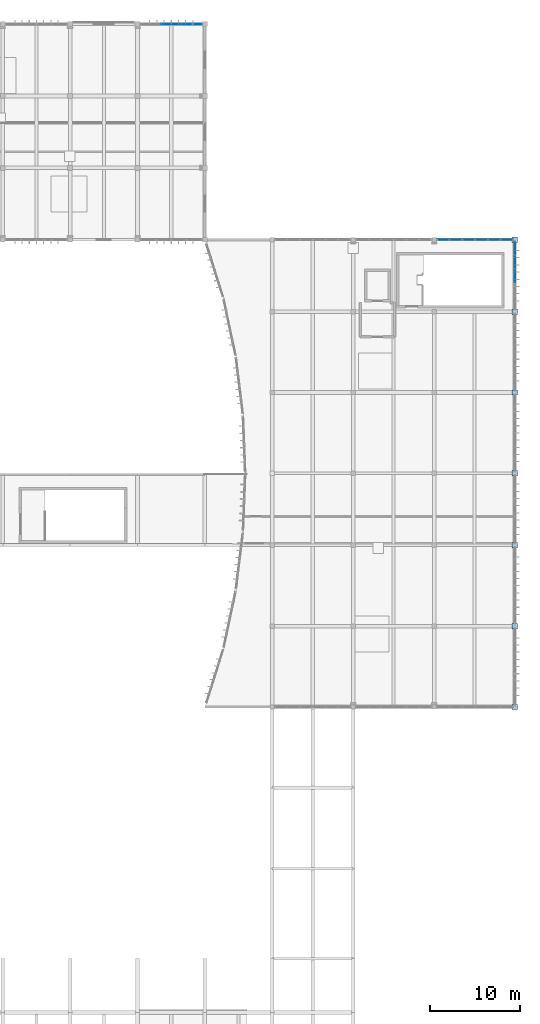
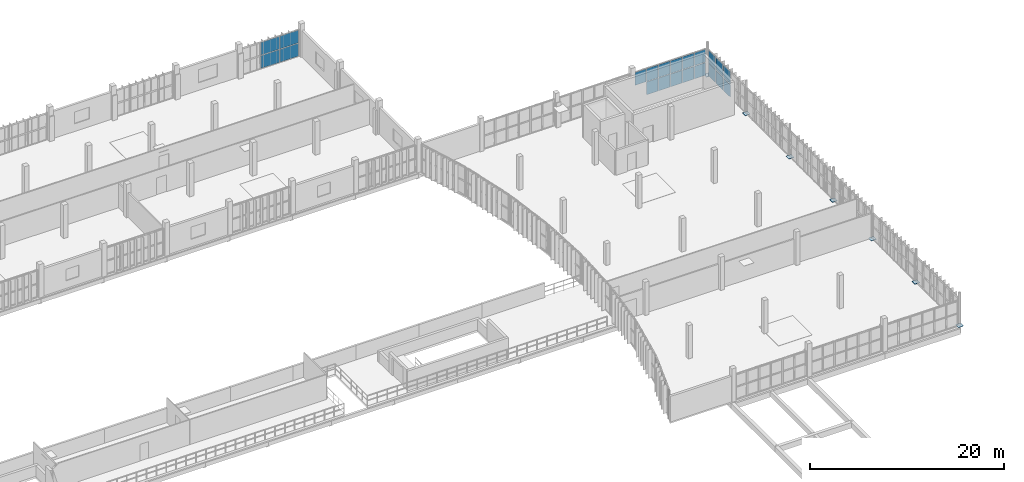
# One storey, part 39 of 61: 28 plates, 3 elements without a shape of their own.
"""IFC4 building model written with IfcOpenShell, lengths in metres."""

from ifc_helpers import new_model, si_unit, direction, frame, origin, origin_2d, place, context, subcontext, project, spatial, rectangle, extrude, material, layer, layer_set, type_object, element, aggregate, save


model = new_model("IFC4")

# Units and contexts
model_context = context("Model", 3, precision=1e-05, world=origin(), true_north=direction((0.0, 1.0)))
body_context = subcontext(model_context, "Body", "Model", "MODEL_VIEW")
ifc_project = project(units=[si_unit("LENGTHUNIT", "METRE"), si_unit("AREAUNIT", "SQUARE_METRE"), si_unit("VOLUMEUNIT", "CUBIC_METRE"), si_unit("PLANEANGLEUNIT", "RADIAN"), si_unit("MASSUNIT", "GRAM", prefix="KILO")], contexts=[model_context])

# Site, building, storey
site_placement = place(None, origin())
site = spatial("IfcSite", under=ifc_project, at=site_placement, CompositionType="ELEMENT")
building_placement = place(site_placement, origin())
building = spatial("IfcBuilding", under=site, at=building_placement, Name="Vourika Railside Aquatics Centre", CompositionType="ELEMENT")
storey_placement = place(building_placement, frame((0.0, 0.0, 9.300048828125)))
storey = spatial("IfcBuildingStorey", under=building, at=storey_placement, Name="L02", CompositionType="ELEMENT", Elevation=9.300048828125)

# Curtain wall, plates
ifc_material_1 = material(Name="Anodized thermally broken aluminium", Category="aluminium")
curtain_wall_type_1 = type_object("IfcCurtainWallType", Name="CW-FIT2", PredefinedType="NOTDEFINED", material=ifc_material_1)
curtain_wall_1_placement = place(storey_placement, origin())
curtain_wall_1 = element("IfcCurtainWall", 1, at=curtain_wall_1_placement, inside=storey, type_object=curtain_wall_type_1, Name="North Boulevard Curtain Wall L02-15", PredefinedType="NOTDEFINED")
ifc_material_2 = material(Name="Low-E solar-control laminated double glazing", Category="glass")
ifc_layer_1 = layer(ifc_material_2, 0.02392578125, Name="CWP-FIT2")
ifc_layer_set_1 = layer_set([ifc_layer_1], Name="Low-E solar-control laminated double glazing")
plate_type_1 = type_object("IfcPlateType", Name="CWP-FIT2", PredefinedType="CURTAIN_PANEL", material=ifc_layer_set_1)
plate_1_placement = place(storey_placement, frame((132.03173828125, 116.0, 0.06005859375), z_axis=(0.0, 0.0, 1.0), x_axis=(-1.0, 0.0, 0.0)))
plate_1 = element("IfcPlate", 2, at=plate_1_placement, type_object=plate_type_1, Name="CW16 panel 1.1", PredefinedType="CURTAIN_PANEL", context=body_context, shape_type="SweptSolid", body=[
    extrude(rectangle(XDim=2.206787109375, YDim=0.02392578125, at=origin_2d()), origin(), (0.0, 0.0, 1.0), 1.614990234375),
])
plate_2_placement = place(storey_placement, frame((132.03173828125, 116.0, 1.73486328125), z_axis=(0.0, 0.0, 1.0), x_axis=(-1.0, 0.0, 0.0)))
plate_2 = element("IfcPlate", 3, at=plate_2_placement, type_object=plate_type_1, Name="CW16 panel 1.2", PredefinedType="CURTAIN_PANEL", context=body_context, shape_type="SweptSolid", body=[
    extrude(rectangle(XDim=2.206787109375, YDim=0.02392578125, at=origin_2d()), origin(), (0.0, 0.0, 1.0), 1.614990234375),
])
plate_3_placement = place(storey_placement, frame((129.75, 116.0, 0.06005859375), z_axis=(0.0, 0.0, 1.0), x_axis=(-1.0, 0.0, 0.0)))
plate_3 = element("IfcPlate", 4, at=plate_3_placement, type_object=plate_type_1, Name="CW16 panel 2.1", PredefinedType="CURTAIN_PANEL", context=body_context, shape_type="SweptSolid", body=[
    extrude(rectangle(XDim=2.236572265625, YDim=0.02392578125, at=origin_2d()), origin(), (0.0, 0.0, 1.0), 1.614990234375),
])
plate_4_placement = place(storey_placement, frame((129.75, 116.0, 1.73486328125), z_axis=(0.0, 0.0, 1.0), x_axis=(-1.0, 0.0, 0.0)))
plate_4 = element("IfcPlate", 5, at=plate_4_placement, type_object=plate_type_1, Name="CW16 panel 2.2", PredefinedType="CURTAIN_PANEL", context=body_context, shape_type="SweptSolid", body=[
    extrude(rectangle(XDim=2.236572265625, YDim=0.02392578125, at=origin_2d()), origin(), (0.0, 0.0, 1.0), 1.614990234375),
])
aggregate(curtain_wall_1, [plate_1, plate_2, plate_3, plate_4])

curtain_wall_type_2 = type_object("IfcCurtainWallType", Name="CW-FOYE", PredefinedType="NOTDEFINED", material=ifc_material_1)
curtain_wall_2_placement = place(storey_placement, origin())
curtain_wall_2 = element("IfcCurtainWall", 6, at=curtain_wall_2_placement, inside=storey, type_object=curtain_wall_type_2, Name="East Arrival Facade Curtain Wall L02-6", PredefinedType="NOTDEFINED")
ifc_layer_2 = layer(ifc_material_2, 0.031982421875, Name="CWP-FOYE")
ifc_layer_set_2 = layer_set([ifc_layer_2], Name="Low-E solar-control laminated double glazing")
plate_type_2 = type_object("IfcPlateType", Name="CWP-FOYE", PredefinedType="CURTAIN_PANEL", material=ifc_layer_set_2)
plate_5_placement = place(storey_placement, frame((168.0, 88.0, 0.07470703125), z_axis=(0.0, 0.0, 1.0), x_axis=(0.0, 1.0, 0.0)))
plate_5 = element("IfcPlate", 7, at=plate_5_placement, type_object=plate_type_2, Name="CW10 panel 3.1", PredefinedType="CURTAIN_PANEL", context=body_context, shape_type="SweptSolid", body=[
    extrude(rectangle(XDim=1.45849609375, YDim=0.031982421875, at=origin_2d()), origin(), (0.0, 0.0, 1.0), 1.572509765625),
])
plate_6_placement = place(storey_placement, frame((168.0, 88.0, 1.72265625), z_axis=(0.0, 0.0, 1.0), x_axis=(0.0, 1.0, 0.0)))
plate_6 = element("IfcPlate", 8, at=plate_6_placement, type_object=plate_type_2, Name="CW10 panel 3.2", PredefinedType="CURTAIN_PANEL", context=body_context, shape_type="SweptSolid", body=[
    extrude(rectangle(XDim=1.45849609375, YDim=0.031982421875, at=origin_2d()), origin(), (0.0, 0.0, 1.0), 1.572509765625),
])
plate_7_placement = place(storey_placement, frame((168.0, 89.533447265625, 0.07470703125), z_axis=(0.0, 0.0, 1.0), x_axis=(0.0, 1.0, 0.0)))
plate_7 = element("IfcPlate", 9, at=plate_7_placement, type_object=plate_type_2, Name="CW10 panel 4.1", PredefinedType="CURTAIN_PANEL", context=body_context, shape_type="SweptSolid", body=[
    extrude(rectangle(XDim=1.45849609375, YDim=0.031982421875, at=origin_2d()), origin(), (0.0, 0.0, 1.0), 1.572509765625),
])
plate_8_placement = place(storey_placement, frame((168.0, 89.533447265625, 1.72265625), z_axis=(0.0, 0.0, 1.0), x_axis=(0.0, 1.0, 0.0)))
plate_8 = element("IfcPlate", 10, at=plate_8_placement, type_object=plate_type_2, Name="CW10 panel 4.2", PredefinedType="CURTAIN_PANEL", context=body_context, shape_type="SweptSolid", body=[
    extrude(rectangle(XDim=1.45849609375, YDim=0.031982421875, at=origin_2d()), origin(), (0.0, 0.0, 1.0), 1.572509765625),
])
plate_9_placement = place(storey_placement, frame((168.0, 91.048095703125, 0.07470703125), z_axis=(0.0, 0.0, 1.0), x_axis=(0.0, 1.0, 0.0)))
plate_9 = element("IfcPlate", 11, at=plate_9_placement, type_object=plate_type_2, Name="CW10 panel 5.1", PredefinedType="CURTAIN_PANEL", context=body_context, shape_type="SweptSolid", body=[
    extrude(rectangle(XDim=1.4208984375, YDim=0.031982421875, at=origin_2d()), origin(), (0.0, 0.0, 1.0), 1.572509765625),
])
plate_10_placement = place(storey_placement, frame((168.0, 91.048095703125, 1.72265625), z_axis=(0.0, 0.0, 1.0), x_axis=(0.0, 1.0, 0.0)))
plate_10 = element("IfcPlate", 12, at=plate_10_placement, type_object=plate_type_2, Name="CW10 panel 5.2", PredefinedType="CURTAIN_PANEL", context=body_context, shape_type="SweptSolid", body=[
    extrude(rectangle(XDim=1.4208984375, YDim=0.031982421875, at=origin_2d()), origin(), (0.0, 0.0, 1.0), 1.572509765625),
])
aggregate(curtain_wall_2, [plate_5, plate_6, plate_7, plate_8, plate_9, plate_10])

curtain_wall_type_3 = type_object("IfcCurtainWallType", Name="CW-FOYS", PredefinedType="NOTDEFINED", material=ifc_material_1)
curtain_wall_3_placement = place(storey_placement, origin())
curtain_wall_3 = element("IfcCurtainWall", 13, at=curtain_wall_3_placement, inside=storey, type_object=curtain_wall_type_3, Name="Foyer North Glazed Facade L02-3", PredefinedType="NOTDEFINED")
ifc_layer_3 = layer(ifc_material_2, 0.031982421875, Name="CWP-FOYS")
ifc_layer_set_3 = layer_set([ifc_layer_3], Name="Low-E solar-control laminated double glazing")
plate_type_3 = type_object("IfcPlateType", Name="CWP-FOYS", PredefinedType="CURTAIN_PANEL", material=ifc_layer_set_3)
plate_11_placement = place(storey_placement, frame((167.102783203125, 92.0, 0.072021484375), z_axis=(0.0, 0.0, 1.0), x_axis=(-1.0, 0.0, 0.0)))
plate_11 = element("IfcPlate", 14, at=plate_11_placement, type_object=plate_type_3, Name="CW11 panel 1.1", PredefinedType="CURTAIN_PANEL", context=body_context, shape_type="SweptSolid", body=[
    extrude(rectangle(XDim=1.317626953125, YDim=0.031982421875, at=origin_2d()), origin(), (0.0, 0.0, 1.0), 1.60205078125),
])
plate_12_placement = place(storey_placement, frame((167.102783203125, 92.0, 1.745849609375), z_axis=(0.0, 0.0, 1.0), x_axis=(-1.0, 0.0, 0.0)))
plate_12 = element("IfcPlate", 15, at=plate_12_placement, type_object=plate_type_3, Name="CW11 panel 1.2", PredefinedType="CURTAIN_PANEL", context=body_context, shape_type="SweptSolid", body=[
    extrude(rectangle(XDim=1.317626953125, YDim=0.031982421875, at=origin_2d()), origin(), (0.0, 0.0, 1.0), 1.60205078125),
])
plate_13_placement = place(storey_placement, frame((165.695068359375, 92.0, 0.072021484375), z_axis=(0.0, 0.0, 1.0), x_axis=(-1.0, 0.0, 0.0)))
plate_13 = element("IfcPlate", 16, at=plate_13_placement, type_object=plate_type_3, Name="CW11 panel 2.1", PredefinedType="CURTAIN_PANEL", context=body_context, shape_type="SweptSolid", body=[
    extrude(rectangle(XDim=1.353515625, YDim=0.031982421875, at=origin_2d()), origin(), (0.0, 0.0, 1.0), 1.60205078125),
])
plate_14_placement = place(storey_placement, frame((165.695068359375, 92.0, 1.745849609375), z_axis=(0.0, 0.0, 1.0), x_axis=(-1.0, 0.0, 0.0)))
plate_14 = element("IfcPlate", 17, at=plate_14_placement, type_object=plate_type_3, Name="CW11 panel 2.2", PredefinedType="CURTAIN_PANEL", context=body_context, shape_type="SweptSolid", body=[
    extrude(rectangle(XDim=1.353515625, YDim=0.031982421875, at=origin_2d()), origin(), (0.0, 0.0, 1.0), 1.60205078125),
])
plate_15_placement = place(storey_placement, frame((164.26953125, 92.0, 0.072021484375), z_axis=(0.0, 0.0, 1.0), x_axis=(-1.0, 0.0, 0.0)))
plate_15 = element("IfcPlate", 18, at=plate_15_placement, type_object=plate_type_3, Name="CW11 panel 3.1", PredefinedType="CURTAIN_PANEL", context=body_context, shape_type="SweptSolid", body=[
    extrude(rectangle(XDim=1.353515625, YDim=0.031982421875, at=origin_2d()), origin(), (0.0, 0.0, 1.0), 1.60205078125),
])
plate_16_placement = place(storey_placement, frame((164.26953125, 92.0, 1.745849609375), z_axis=(0.0, 0.0, 1.0), x_axis=(-1.0, 0.0, 0.0)))
plate_16 = element("IfcPlate", 19, at=plate_16_placement, type_object=plate_type_3, Name="CW11 panel 3.2", PredefinedType="CURTAIN_PANEL", context=body_context, shape_type="SweptSolid", body=[
    extrude(rectangle(XDim=1.353515625, YDim=0.031982421875, at=origin_2d()), origin(), (0.0, 0.0, 1.0), 1.60205078125),
])
plate_17_placement = place(storey_placement, frame((162.843994140625, 92.0, 0.072021484375), z_axis=(0.0, 0.0, 1.0), x_axis=(-1.0, 0.0, 0.0)))
plate_17 = element("IfcPlate", 20, at=plate_17_placement, type_object=plate_type_3, Name="CW11 panel 4.1", PredefinedType="CURTAIN_PANEL", context=body_context, shape_type="SweptSolid", body=[
    extrude(rectangle(XDim=1.353515625, YDim=0.031982421875, at=origin_2d()), origin(), (0.0, 0.0, 1.0), 1.60205078125),
])
plate_18_placement = place(storey_placement, frame((162.843994140625, 92.0, 1.745849609375), z_axis=(0.0, 0.0, 1.0), x_axis=(-1.0, 0.0, 0.0)))
plate_18 = element("IfcPlate", 21, at=plate_18_placement, type_object=plate_type_3, Name="CW11 panel 4.2", PredefinedType="CURTAIN_PANEL", context=body_context, shape_type="SweptSolid", body=[
    extrude(rectangle(XDim=1.353515625, YDim=0.031982421875, at=origin_2d()), origin(), (0.0, 0.0, 1.0), 1.60205078125),
])
plate_19_placement = place(storey_placement, frame((161.41845703125, 92.0, 0.072021484375), z_axis=(0.0, 0.0, 1.0), x_axis=(-1.0, 0.0, 0.0)))
plate_19 = element("IfcPlate", 22, at=plate_19_placement, type_object=plate_type_3, Name="CW11 panel 5.1", PredefinedType="CURTAIN_PANEL", context=body_context, shape_type="SweptSolid", body=[
    extrude(rectangle(XDim=1.353515625, YDim=0.031982421875, at=origin_2d()), origin(), (0.0, 0.0, 1.0), 1.60205078125),
])
plate_20_placement = place(storey_placement, frame((161.41845703125, 92.0, 1.745849609375), z_axis=(0.0, 0.0, 1.0), x_axis=(-1.0, 0.0, 0.0)))
plate_20 = element("IfcPlate", 23, at=plate_20_placement, type_object=plate_type_3, Name="CW11 panel 5.2", PredefinedType="CURTAIN_PANEL", context=body_context, shape_type="SweptSolid", body=[
    extrude(rectangle(XDim=1.353515625, YDim=0.031982421875, at=origin_2d()), origin(), (0.0, 0.0, 1.0), 1.60205078125),
])
plate_21_placement = place(storey_placement, frame((160.0107421875, 92.0, 1.745849609375), z_axis=(0.0, 0.0, 1.0), x_axis=(-1.0, 0.0, 0.0)))
plate_21 = element("IfcPlate", 24, at=plate_21_placement, type_object=plate_type_3, Name="CW11 panel 6.2", PredefinedType="CURTAIN_PANEL", context=body_context, shape_type="SweptSolid", body=[
    extrude(rectangle(XDim=1.317626953125, YDim=0.031982421875, at=origin_2d()), origin(), (0.0, 0.0, 1.0), 1.60205078125),
])
aggregate(curtain_wall_3, [plate_11, plate_12, plate_13, plate_14, plate_15, plate_16, plate_17, plate_18, plate_19, plate_20, plate_21])

# Plates
ifc_material_3 = material(Name="Steel S355J2", Category="steel")
ifc_layer_4 = layer(ifc_material_3, 0.030029296875, Name="PLT-BASE-600x600x30")
ifc_layer_set_4 = layer_set([ifc_layer_4], Name="Steel S355J2")
plate_type_4 = type_object("IfcPlateType", Name="PLT-BASE-600x600x30", PredefinedType="USERDEFINED", material=ifc_layer_set_4)
for number, where, z_axis, x_axis, name in (
    (25, (168.0, 40.0, 0.0), (0.0, 0.0, 1.0), (1.0, 0.0, 0.0), "Steel Column Base Plate BP-043"),
    (26, (168.0, 49.0, 0.0), (0.0, 0.0, 1.0), (1.0, 0.0, 0.0), "Steel Column Base Plate BP-044"),
    (27, (168.0, 58.0, 0.0), (0.0, 0.0, 1.0), (1.0, 0.0, 0.0), "Steel Column Base Plate BP-045"),
    (28, (168.0, 66.0, 0.0), (0.0, 0.0, 1.0), (1.0, 0.0, 0.0), "Steel Column Base Plate BP-046"),
    (29, (168.0, 75.0, 0.0), (0.0, 0.0, 1.0), (1.0, 0.0, 0.0), "Steel Column Base Plate BP-047"),
    (30, (168.0, 84.0, 0.0), (0.0, 0.0, 1.0), (1.0, 0.0, 0.0), "Steel Column Base Plate BP-048"),
    (31, (168.0, 92.0, 0.0), (0.0, 0.0, 1.0), (1.0, 0.0, 0.0), "Steel Column Base Plate BP-049"),
):
    element("IfcPlate", number, at=place(storey_placement, frame(where, z_axis=z_axis, x_axis=x_axis)), inside=storey, type_object=plate_type_4, Name=name, ObjectType="BASE PLATE", PredefinedType="USERDEFINED", context=body_context, shape_type="SweptSolid", body=[
        extrude(rectangle(XDim=0.60009765625, YDim=0.60009765625, at=origin_2d()), origin(), (0.0, 0.0, 1.0), 0.030029296875),
    ])

save(model, "model.ifc")
